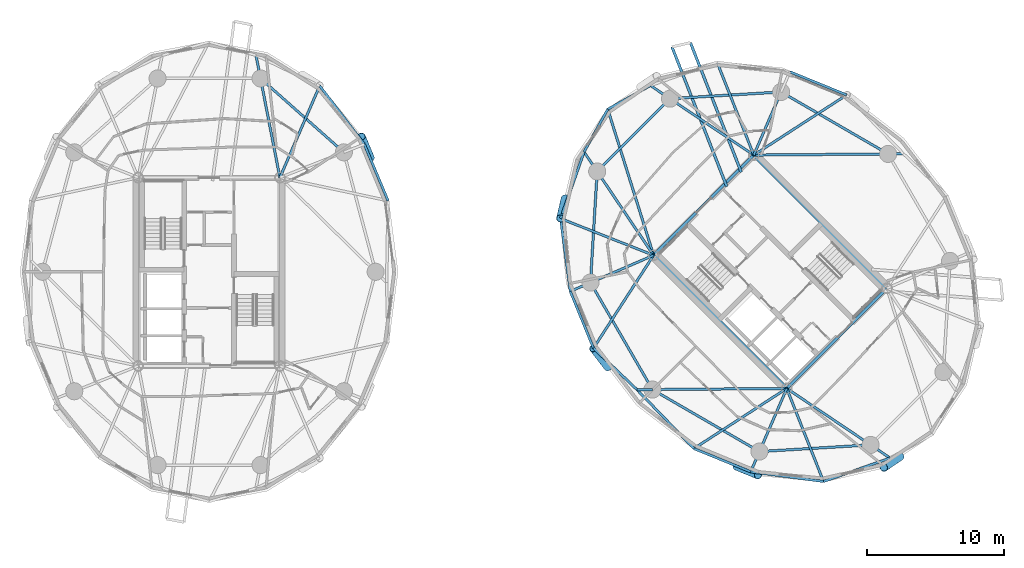
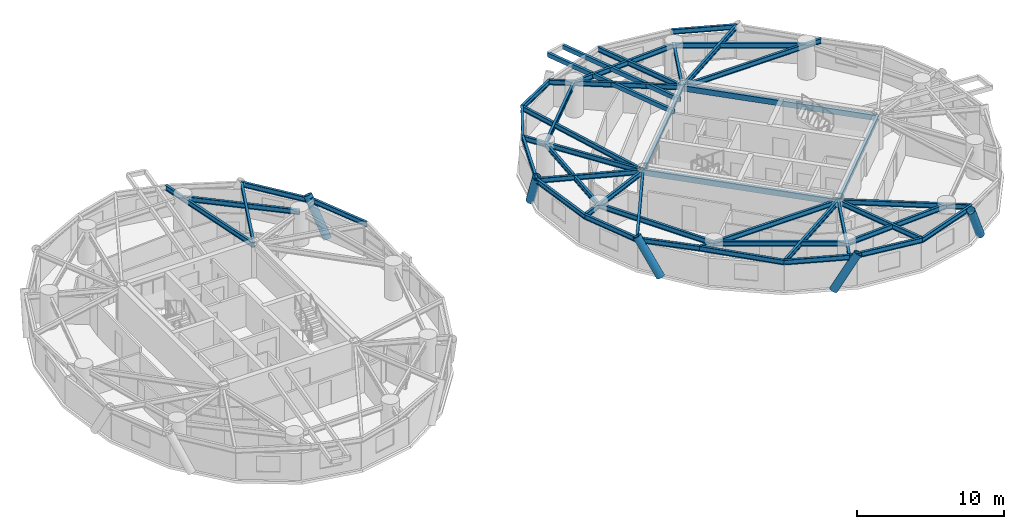
# One storey, part 4 of 17: 45 beams, 5 members.
"""IFC4 building model written with IfcOpenShell, lengths in metres."""

from ifc_helpers import new_model, si_unit, direction, frame, origin, origin_2d, place, context, subcontext, project, spatial, hollow_rectangle, hollow_circle, i_section, extrude, material, material_profile, profile_set, type_object, element, save


model = new_model("IFC4")

# Units and contexts
model_context = context("Model", 3, precision=1e-05, world=origin(), true_north=direction((0.0, 1.0)))
body_context = subcontext(model_context, "Body", "Model", "MODEL_VIEW")
ifc_project = project(units=[si_unit("LENGTHUNIT", "METRE"), si_unit("AREAUNIT", "SQUARE_METRE"), si_unit("VOLUMEUNIT", "CUBIC_METRE"), si_unit("PLANEANGLEUNIT", "RADIAN"), si_unit("MASSUNIT", "GRAM", prefix="KILO")], contexts=[model_context])

# Site, building, storey
site_placement = place(None, origin())
site = spatial("IfcSite", under=ifc_project, at=site_placement, CompositionType="ELEMENT")
building_placement = place(site_placement, origin())
building = spatial("IfcBuilding", under=site, at=building_placement, Name="Cununo Teusaquillo Station Towers", CompositionType="ELEMENT")
storey_placement = place(building_placement, frame((0.0, 0.0, 174.8798828125)))
storey = spatial("IfcBuildingStorey", under=building, at=storey_placement, Name="L55", CompositionType="ELEMENT", Elevation=174.8798828125)

# Beams
ifc_material_1 = material(Name="Steel EN 10025-2 S355J2", Category="steel")
ifc_material_profile_1 = material_profile(ifc_material_1, hollow_rectangle(XDim=0.199951171875, YDim=0.35009765625, WallThickness=0.013916015625, at=origin_2d()), Name="RHS 350x200x14")
ifc_profile_set_1 = profile_set([ifc_material_profile_1], Name="Steel EN 10025-2 S355J2")
beam_type_1 = type_object("IfcBeamType", Name="BM-BAL-CANT", PredefinedType="BEAM", material=ifc_profile_set_1)
beam_1_placement = place(storey_placement, frame((55.377685546875, 31.781982421875, 2.51513671875), z_axis=(-0.365281448211, 0.930897128362, 0.0), x_axis=(-0.930897128362, -0.365281448211, 0.0)))
element("IfcBeam", 1, at=beam_1_placement, inside=storey, type_object=beam_type_1, Name="L55 Tower B Balcony Cantilever Bracket 1A", PredefinedType="BEAM", context=body_context, shape_type="SweptSolid", body=[
    extrude(hollow_rectangle(XDim=0.199951171875, YDim=0.35009765625, WallThickness=0.013916015625, at=origin_2d()), origin(), (0.0, 0.0, 1.0), 10.162353515625),
])
beam_2_placement = place(storey_placement, frame((54.32177734375, 30.726318359375, 2.51513671875), z_axis=(-0.36528703962, 0.93089493429, 0.0), x_axis=(-0.93089493429, -0.36528703962, 0.0)))
element("IfcBeam", 2, at=beam_2_placement, inside=storey, type_object=beam_type_1, Name="L55 Tower B Balcony Cantilever Bracket 1B", PredefinedType="BEAM", context=body_context, shape_type="SweptSolid", body=[
    extrude(hollow_rectangle(XDim=0.199951171875, YDim=0.35009765625, WallThickness=0.013916015625, at=origin_2d()), origin(), (0.0, 0.0, 1.0), 10.958984375),
])
ifc_material_2 = material(Name="Steel EN 10025-2 S355J2", Category="steel")
ifc_material_profile_2 = material_profile(ifc_material_2, hollow_rectangle(XDim=0.25, YDim=0.449951171875, WallThickness=0.01611328125, at=origin_2d()), Name="RHS 450x250x16")
ifc_profile_set_2 = profile_set([ifc_material_profile_2], Name="Steel EN 10025-2 S355J2")
beam_type_2 = type_object("IfcBeamType", Name="BM-COUP-1", PredefinedType="USERDEFINED", material=ifc_profile_set_2)
for number, where, z_axis, x_axis, name in (
    (3, (58.70556640625, 15.975830078125, 2.465087890625), (-0.707106781187, 0.707106781187, 0.0), (-0.707106781187, -0.707106781187, 0.0), "L55 Tower B Core Beam 1"),
    (4, (66.024169921875, 23.29443359375, 2.465087890625), (-0.707106781187, 0.707106781187, 0.0), (-0.707106781187, -0.707106781187, 0.0), "L55 Tower B Core Beam 2"),
):
    element("IfcBeam", number, at=place(storey_placement, frame(where, z_axis=z_axis, x_axis=x_axis)), inside=storey, type_object=beam_type_2, Name=name, ObjectType="COUPLING BEAM", PredefinedType="USERDEFINED", context=body_context, shape_type="SweptSolid", body=[
        extrude(hollow_rectangle(XDim=0.25, YDim=0.449951171875, WallThickness=0.01611328125, at=origin_2d()), origin(), (0.0, 0.0, 1.0), 13.760009765625),
    ])
ifc_material_3 = material(Name="Steel ASTM A572 Grade 50", Category="steel")
ifc_material_profile_3 = material_profile(ifc_material_3, i_section(OverallWidth=0.180908203125, OverallDepth=0.4169921875, WebThickness=0.010986328125, FlangeThickness=0.018310546875, FilletRadius=0.012939453125, at=origin_2d()), Name="W16X57")
ifc_profile_set_3 = profile_set([ifc_material_profile_3], Name="Steel ASTM A572 Grade 50")
beam_type_3 = type_object("IfcBeamType", Name="BM-JOIST-1", PredefinedType="JOIST", material=ifc_profile_set_3)
beam_3_placement = place(storey_placement, frame((21.675048828125, 31.3798828125, 2.481689453125), z_axis=(0.397903718051, 0.917427180304, 0.0), x_axis=(-0.917427180304, 0.397903718051, 0.0)))
element("IfcBeam", 5, at=beam_3_placement, inside=storey, type_object=beam_type_3, Name="L55 Tower A Radial Spandrel Joist V03", PredefinedType="JOIST", context=body_context, shape_type="SweptSolid", body=[
    extrude(i_section(OverallWidth=0.180908203125, OverallDepth=0.4169921875, WebThickness=0.010986328125, FlangeThickness=0.018310546875, FilletRadius=0.012939453125, at=origin_2d()), origin(), (0.0, 0.0, 1.0), 7.306884765625),
])
beam_4_placement = place(storey_placement, frame((56.29443359375, 33.024169921875, 2.481689453125), z_axis=(0.839447756954, 0.543440395394, 0.0), x_axis=(-0.543440395394, 0.839447756954, 0.0)))
element("IfcBeam", 6, at=beam_4_placement, inside=storey, type_object=beam_type_3, Name="L55 Tower B Radial Spandrel Joist V01", PredefinedType="JOIST", context=body_context, shape_type="SweptSolid", body=[
    extrude(i_section(OverallWidth=0.180908203125, OverallDepth=0.4169921875, WebThickness=0.010986328125, FlangeThickness=0.018310546875, FilletRadius=0.012939453125, at=origin_2d()), origin(), (0.0, 0.0, 1.0), 8.08203125),
])
beam_5_placement = place(storey_placement, frame((56.29443359375, 33.024169921875, 2.481689453125), z_axis=(-0.367331607091, 0.93009004426, 0.0), x_axis=(-0.93009004426, -0.367331607091, 0.0)))
element("IfcBeam", 7, at=beam_5_placement, inside=storey, type_object=beam_type_3, Name="L55 Tower B Radial Spandrel Joist V03", PredefinedType="JOIST", context=body_context, shape_type="SweptSolid", body=[
    extrude(i_section(OverallWidth=0.180908203125, OverallDepth=0.4169921875, WebThickness=0.010986328125, FlangeThickness=0.018310546875, FilletRadius=0.012939453125, at=origin_2d()), origin(), (0.0, 0.0, 1.0), 7.306884765625),
])
beam_6_placement = place(storey_placement, frame((48.975830078125, 25.70556640625, 2.481689453125), z_axis=(-0.29947962656, 0.954102695351, 0.0), x_axis=(-0.954102695351, -0.29947962656, 0.0)))
element("IfcBeam", 8, at=beam_6_placement, inside=storey, type_object=beam_type_3, Name="L55 Tower B Radial Spandrel Joist V05", PredefinedType="JOIST", context=body_context, shape_type="SweptSolid", body=[
    extrude(i_section(OverallWidth=0.180908203125, OverallDepth=0.4169921875, WebThickness=0.010986328125, FlangeThickness=0.018310546875, FilletRadius=0.012939453125, at=origin_2d()), origin(), (0.0, 0.0, 1.0), 11.179931640625),
])
beam_7_placement = place(storey_placement, frame((48.975830078125, 25.70556640625, 2.481689453125), z_axis=(-0.93009004426, 0.367331607091, 0.0), x_axis=(-0.367331607091, -0.93009004426, 0.0)))
element("IfcBeam", 9, at=beam_7_placement, inside=storey, type_object=beam_type_3, Name="L55 Tower B Radial Spandrel Joist V07", PredefinedType="JOIST", context=body_context, shape_type="SweptSolid", body=[
    extrude(i_section(OverallWidth=0.180908203125, OverallDepth=0.4169921875, WebThickness=0.010986328125, FlangeThickness=0.018310546875, FilletRadius=0.012939453125, at=origin_2d()), origin(), (0.0, 0.0, 1.0), 7.306884765625),
])
for number, where, z_axis, x_axis, name in (
    (10, (48.975830078125, 25.70556640625, 2.481689453125), (-0.543440395394, -0.839447756954, 0.0), (0.839447756954, -0.543440395394, 0.0), "L55 Tower B Radial Spandrel Joist V09"),
    (11, (58.70556640625, 15.975830078125, 2.481689453125), (-0.839447756954, -0.543440395394, 0.0), (0.543440395394, -0.839447756954, 0.0), "L55 Tower B Radial Spandrel Joist V11"),
):
    element("IfcBeam", number, at=place(storey_placement, frame(where, z_axis=z_axis, x_axis=x_axis)), inside=storey, type_object=beam_type_3, Name=name, PredefinedType="JOIST", context=body_context, shape_type="SweptSolid", body=[
        extrude(i_section(OverallWidth=0.180908203125, OverallDepth=0.4169921875, WebThickness=0.010986328125, FlangeThickness=0.018310546875, FilletRadius=0.012939453125, at=origin_2d()), origin(), (0.0, 0.0, 1.0), 8.08203125),
    ])
beam_8_placement = place(storey_placement, frame((58.70556640625, 15.975830078125, 2.481689453125), z_axis=(0.367331607091, -0.93009004426, 0.0), x_axis=(0.93009004426, 0.367331607091, 0.0)))
element("IfcBeam", 12, at=beam_8_placement, inside=storey, type_object=beam_type_3, Name="L55 Tower B Radial Spandrel Joist V13", PredefinedType="JOIST", context=body_context, shape_type="SweptSolid", body=[
    extrude(i_section(OverallWidth=0.180908203125, OverallDepth=0.4169921875, WebThickness=0.010986328125, FlangeThickness=0.018310546875, FilletRadius=0.012939453125, at=origin_2d()), origin(), (0.0, 0.0, 1.0), 7.306884765625),
])
ifc_material_4 = material(Name="Steel ASTM A572 Grade 50", Category="steel")
ifc_material_profile_4 = material_profile(ifc_material_4, i_section(OverallWidth=0.2041015625, OverallDepth=0.35009765625, WebThickness=0.008544921875, FlangeThickness=0.01513671875, FilletRadius=0.011962890625, at=origin_2d()), Name="W14X48")
ifc_profile_set_4 = profile_set([ifc_material_profile_4], Name="Steel ASTM A572 Grade 50")
beam_type_4 = type_object("IfcBeamType", Name="BM-LINTEL-1", PredefinedType="LINTEL", material=ifc_profile_set_4)
for number, where, z_axis, x_axis, name in (
    (13, (58.70556640625, 15.975830078125, 2.51513671875), (0.707106781187, 0.707106781187, 0.0), (-0.707106781187, 0.707106781187, 0.0), "L55 Tower B Core Beam 3"),
    (14, (48.975830078125, 25.70556640625, 2.51513671875), (0.707106781187, 0.707106781187, 0.0), (-0.707106781187, 0.707106781187, 0.0), "L55 Tower B Core Beam 4"),
):
    element("IfcBeam", number, at=place(storey_placement, frame(where, z_axis=z_axis, x_axis=x_axis)), inside=storey, type_object=beam_type_4, Name=name, PredefinedType="LINTEL", context=body_context, shape_type="SweptSolid", body=[
        extrude(i_section(OverallWidth=0.2041015625, OverallDepth=0.35009765625, WebThickness=0.008544921875, FlangeThickness=0.01513671875, FilletRadius=0.011962890625, at=origin_2d()), origin(), (0.0, 0.0, 1.0), 10.35009765625),
    ])
ifc_material_5 = material(Name="Steel ASTM A572 Grade 50", Category="steel")
ifc_material_profile_5 = material_profile(ifc_material_5, i_section(OverallWidth=0.180908203125, OverallDepth=0.4169921875, WebThickness=0.010986328125, FlangeThickness=0.018310546875, FilletRadius=0.012939453125, at=origin_2d()), Name="W16X57")
ifc_profile_set_5 = profile_set([ifc_material_profile_5], Name="Steel ASTM A572 Grade 50")
beam_type_5 = type_object("IfcBeamType", Name="BM-RAD-G2", PredefinedType="BEAM", material=ifc_profile_set_5)
beam_9_placement = place(storey_placement, frame((21.675048828125, 31.3798828125, 2.481689453125), z_axis=(-0.191557018874, 0.981481486591, 0.0), x_axis=(-0.981481486591, -0.191557018874, 0.0)))
element("IfcBeam", 15, at=beam_9_placement, inside=storey, type_object=beam_type_5, Name="L55 Tower A Continuous Overhanging Radial Girder 03", PredefinedType="BEAM", context=body_context, shape_type="SweptSolid", body=[
    extrude(i_section(OverallWidth=0.180908203125, OverallDepth=0.4169921875, WebThickness=0.010986328125, FlangeThickness=0.018310546875, FilletRadius=0.012939453125, at=origin_2d()), origin(), (0.0, 0.0, 1.0), 9.097412109375),
])
beam_10_placement = place(storey_placement, frame((56.29443359375, 33.024169921875, 2.481689453125), z_axis=(0.999964410964, 0.008436634764, 0.0), x_axis=(-0.008436634764, 0.999964410964, 0.0)))
element("IfcBeam", 16, at=beam_10_placement, inside=storey, type_object=beam_type_5, Name="L55 Tower B Continuous Overhanging Radial Girder 01", PredefinedType="BEAM", context=body_context, shape_type="SweptSolid", body=[
    extrude(i_section(OverallWidth=0.180908203125, OverallDepth=0.4169921875, WebThickness=0.010986328125, FlangeThickness=0.018310546875, FilletRadius=0.012939453125, at=origin_2d()), origin(), (0.0, 0.0, 1.0), 10.938720703125),
])
beam_11_placement = place(storey_placement, frame((56.29443359375, 33.024169921875, 2.481689453125), z_axis=(0.397346986387, 0.917668443616, 0.0), x_axis=(-0.917668443616, 0.397346986387, 0.0)))
element("IfcBeam", 17, at=beam_11_placement, inside=storey, type_object=beam_type_5, Name="L55 Tower B Radial Girder 02A", PredefinedType="BEAM", context=body_context, shape_type="SweptSolid", body=[
    extrude(i_section(OverallWidth=0.180908203125, OverallDepth=0.4169921875, WebThickness=0.010986328125, FlangeThickness=0.018310546875, FilletRadius=0.012939453125, at=origin_2d()), origin(), (0.0, 0.0, 1.0), 5.02490234375),
])
for number, where, z_axis, x_axis, name in (
    (18, (56.29443359375, 33.024169921875, 2.481689453125), (-0.829456719326, 0.558570989907, 0.0), (-0.558570989907, -0.829456719326, 0.0), "L55 Tower B Continuous Overhanging Radial Girder 03"),
    (19, (48.975830078125, 25.70556640625, 2.481689453125), (-0.558570989907, 0.829456719326, 0.0), (-0.829456719326, -0.558570989907, 0.0), "L55 Tower B Continuous Overhanging Radial Girder 04"),
):
    element("IfcBeam", number, at=place(storey_placement, frame(where, z_axis=z_axis, x_axis=x_axis)), inside=storey, type_object=beam_type_5, Name=name, PredefinedType="BEAM", context=body_context, shape_type="SweptSolid", body=[
        extrude(i_section(OverallWidth=0.180908203125, OverallDepth=0.4169921875, WebThickness=0.010986328125, FlangeThickness=0.018310546875, FilletRadius=0.012939453125, at=origin_2d()), origin(), (0.0, 0.0, 1.0), 9.097412109375),
    ])
beam_12_placement = place(storey_placement, frame((48.975830078125, 25.70556640625, 2.481689453125), z_axis=(-0.917664823247, -0.397355347486, 0.0), x_axis=(0.397355347486, -0.917664823247, 0.0)))
element("IfcBeam", 20, at=beam_12_placement, inside=storey, type_object=beam_type_5, Name="L55 Tower B Continuous Overhanging Radial Girder 05", PredefinedType="BEAM", context=body_context, shape_type="SweptSolid", body=[
    extrude(i_section(OverallWidth=0.180908203125, OverallDepth=0.4169921875, WebThickness=0.010986328125, FlangeThickness=0.018310546875, FilletRadius=0.012939453125, at=origin_2d()), origin(), (0.0, 0.0, 1.0), 6.632080078125),
])
beam_13_placement = place(storey_placement, frame((58.70556640625, 15.975830078125, 2.481689453125), z_axis=(-0.999964431382, -0.008434214327, 0.0), x_axis=(0.008434214327, -0.999964431382, 0.0)))
element("IfcBeam", 21, at=beam_13_placement, inside=storey, type_object=beam_type_5, Name="L55 Tower B Radial Girder 06A", PredefinedType="BEAM", context=body_context, shape_type="SweptSolid", body=[
    extrude(i_section(OverallWidth=0.180908203125, OverallDepth=0.4169921875, WebThickness=0.010986328125, FlangeThickness=0.018310546875, FilletRadius=0.012939453125, at=origin_2d()), origin(), (0.0, 0.0, 1.0), 9.812744140625),
])
beam_14_placement = place(storey_placement, frame((48.89306640625, 15.89306640625, 2.481689453125), z_axis=(-0.99996423274, -0.008457732613, 0.0), x_axis=(0.008457732613, -0.99996423274, 0.0)))
element("IfcBeam", 22, at=beam_14_placement, inside=storey, type_object=beam_type_5, Name="L55 Tower B Perimeter Overhang Girder 06B", PredefinedType="BEAM", context=body_context, shape_type="SweptSolid", body=[
    extrude(i_section(OverallWidth=0.180908203125, OverallDepth=0.4169921875, WebThickness=0.010986328125, FlangeThickness=0.018310546875, FilletRadius=0.012939453125, at=origin_2d()), origin(), (0.0, 0.0, 1.0), 1.125732421875),
])
beam_15_placement = place(storey_placement, frame((58.70556640625, 15.975830078125, 2.481689453125), z_axis=(-0.397355347486, -0.917664823247, 0.0), x_axis=(0.917664823247, -0.397355347486, 0.0)))
element("IfcBeam", 23, at=beam_15_placement, inside=storey, type_object=beam_type_5, Name="L55 Tower B Continuous Overhanging Radial Girder 07", PredefinedType="BEAM", context=body_context, shape_type="SweptSolid", body=[
    extrude(i_section(OverallWidth=0.180908203125, OverallDepth=0.4169921875, WebThickness=0.010986328125, FlangeThickness=0.018310546875, FilletRadius=0.012939453125, at=origin_2d()), origin(), (0.0, 0.0, 1.0), 6.632080078125),
])
beam_16_placement = place(storey_placement, frame((58.70556640625, 15.975830078125, 2.481689453125), z_axis=(0.829456719326, -0.558570989907, 0.0), x_axis=(0.558570989907, 0.829456719326, 0.0)))
element("IfcBeam", 24, at=beam_16_placement, inside=storey, type_object=beam_type_5, Name="L55 Tower B Continuous Overhanging Radial Girder 08", PredefinedType="BEAM", context=body_context, shape_type="SweptSolid", body=[
    extrude(i_section(OverallWidth=0.180908203125, OverallDepth=0.4169921875, WebThickness=0.010986328125, FlangeThickness=0.018310546875, FilletRadius=0.012939453125, at=origin_2d()), origin(), (0.0, 0.0, 1.0), 9.097412109375),
])
ifc_material_6 = material(Name="Steel ASTM A572 Grade 50", Category="steel")
ifc_material_profile_6 = material_profile(ifc_material_6, i_section(OverallWidth=0.180908203125, OverallDepth=0.4169921875, WebThickness=0.010986328125, FlangeThickness=0.018310546875, FilletRadius=0.012939453125, at=origin_2d()), Name="W16X57")
ifc_profile_set_6 = profile_set([ifc_material_profile_6], Name="Steel ASTM A572 Grade 50")
beam_type_6 = type_object("IfcBeamType", Name="BM-RING-Z3", PredefinedType="SPANDREL", material=ifc_profile_set_6)
beam_17_placement = place(storey_placement, frame((26.347412109375, 33.228515625, 2.481689453125), z_axis=(-0.74832120039, 0.66333655187, 0.0), x_axis=(-0.66333655187, -0.74832120039, 0.0)))
element("IfcBeam", 25, at=beam_17_placement, inside=storey, type_object=beam_type_6, Name="L55 Tower A Structural Column Ring Girder 02", PredefinedType="SPANDREL", context=body_context, shape_type="SweptSolid", body=[
    extrude(i_section(OverallWidth=0.180908203125, OverallDepth=0.4169921875, WebThickness=0.010986328125, FlangeThickness=0.018310546875, FilletRadius=0.012939453125, at=origin_2d()), origin(), (0.0, 0.0, 1.0), 8.1328125),
])
beam_18_placement = place(storey_placement, frame((29.577880859375, 29.6884765625, 2.481689453125), z_axis=(-0.387360300858, 0.921928412253, 0.0), x_axis=(-0.921928412253, -0.387360300858, 0.0)))
element("IfcBeam", 26, at=beam_18_placement, inside=storey, type_object=beam_type_6, Name="L55 Tower A Spandrel Ring Beam 02", PredefinedType="SPANDREL", context=body_context, shape_type="SweptSolid", body=[
    extrude(i_section(OverallWidth=0.180908203125, OverallDepth=0.4169921875, WebThickness=0.010986328125, FlangeThickness=0.018310546875, FilletRadius=0.012939453125, at=origin_2d()), origin(), (0.0, 0.0, 1.0), 4.481201171875),
])
beam_19_placement = place(storey_placement, frame((27.842041015625, 33.81982421875, 2.481689453125), z_axis=(-0.607340349092, 0.794441753916, 0.0), x_axis=(-0.794441753916, -0.607340349092, 0.0)))
element("IfcBeam", 27, at=beam_19_placement, inside=storey, type_object=beam_type_6, Name="L55 Tower A Spandrel Ring Beam 03", PredefinedType="SPANDREL", context=body_context, shape_type="SweptSolid", body=[
    extrude(i_section(OverallWidth=0.180908203125, OverallDepth=0.4169921875, WebThickness=0.010986328125, FlangeThickness=0.018310546875, FilletRadius=0.012939453125, at=origin_2d()), origin(), (0.0, 0.0, 1.0), 5.366943359375),
])
beam_20_placement = place(storey_placement, frame((66.10693359375, 33.10693359375, 2.481689453125), z_axis=(-0.865267103202, 0.501311121078, 0.0), x_axis=(-0.501311121078, -0.865267103202, 0.0)))
element("IfcBeam", 28, at=beam_20_placement, inside=storey, type_object=beam_type_6, Name="L55 Tower B Structural Column Ring Girder 01", PredefinedType="SPANDREL", context=body_context, shape_type="SweptSolid", body=[
    extrude(i_section(OverallWidth=0.180908203125, OverallDepth=0.4169921875, WebThickness=0.010986328125, FlangeThickness=0.018310546875, FilletRadius=0.012939453125, at=origin_2d()), origin(), (0.0, 0.0, 1.0), 9.032958984375),
])
beam_21_placement = place(storey_placement, frame((58.291015625, 37.63525390625, 2.481689453125), z_axis=(-0.998190567048, -0.06012979176, 0.0), x_axis=(0.06012979176, -0.998190567048, 0.0)))
element("IfcBeam", 29, at=beam_21_placement, inside=storey, type_object=beam_type_6, Name="L55 Tower B Structural Column Ring Girder 02", PredefinedType="SPANDREL", context=body_context, shape_type="SweptSolid", body=[
    extrude(i_section(OverallWidth=0.180908203125, OverallDepth=0.4169921875, WebThickness=0.010986328125, FlangeThickness=0.018310546875, FilletRadius=0.012939453125, at=origin_2d()), origin(), (0.0, 0.0, 1.0), 8.132568359375),
])
beam_22_placement = place(storey_placement, frame((50.173095703125, 37.146240234375, 2.481689453125), z_axis=(-0.707106781187, -0.707106781187, 0.0), x_axis=(0.707106781187, -0.707106781187, 0.0)))
element("IfcBeam", 30, at=beam_22_placement, inside=storey, type_object=beam_type_6, Name="L55 Tower B Structural Column Ring Girder 03", PredefinedType="SPANDREL", context=body_context, shape_type="SweptSolid", body=[
    extrude(i_section(OverallWidth=0.180908203125, OverallDepth=0.4169921875, WebThickness=0.010986328125, FlangeThickness=0.018310546875, FilletRadius=0.012939453125, at=origin_2d()), origin(), (0.0, 0.0, 1.0), 7.522705078125),
])
beam_23_placement = place(storey_placement, frame((44.853759765625, 31.826904296875, 2.481689453125), z_axis=(-0.06012979176, -0.998190567048, 0.0), x_axis=(0.998190567048, -0.06012979176, 0.0)))
element("IfcBeam", 31, at=beam_23_placement, inside=storey, type_object=beam_type_6, Name="L55 Tower B Structural Column Ring Girder 04", PredefinedType="SPANDREL", context=body_context, shape_type="SweptSolid", body=[
    extrude(i_section(OverallWidth=0.180908203125, OverallDepth=0.4169921875, WebThickness=0.010986328125, FlangeThickness=0.018310546875, FilletRadius=0.012939453125, at=origin_2d()), origin(), (0.0, 0.0, 1.0), 8.132568359375),
])
for number, where, z_axis, x_axis, name in (
    (32, (44.36474609375, 23.708984375, 2.481689453125), (0.501311121078, -0.865267103202, 0.0), (0.865267103202, 0.501311121078, 0.0), "L55 Tower B Structural Column Ring Girder 05"),
    (33, (48.89306640625, 15.89306640625, 2.481689453125), (0.865267103202, -0.501311121078, 0.0), (0.501311121078, 0.865267103202, 0.0), "L55 Tower B Structural Column Ring Girder 06"),
):
    element("IfcBeam", number, at=place(storey_placement, frame(where, z_axis=z_axis, x_axis=x_axis)), inside=storey, type_object=beam_type_6, Name=name, PredefinedType="SPANDREL", context=body_context, shape_type="SweptSolid", body=[
        extrude(i_section(OverallWidth=0.180908203125, OverallDepth=0.4169921875, WebThickness=0.010986328125, FlangeThickness=0.018310546875, FilletRadius=0.012939453125, at=origin_2d()), origin(), (0.0, 0.0, 1.0), 9.032958984375),
    ])
beam_24_placement = place(storey_placement, frame((56.708984375, 11.36474609375, 2.481689453125), z_axis=(0.998190567048, 0.06012979176, 0.0), x_axis=(-0.06012979176, 0.998190567048, 0.0)))
element("IfcBeam", 34, at=beam_24_placement, inside=storey, type_object=beam_type_6, Name="L55 Tower B Structural Column Ring Girder 07", PredefinedType="SPANDREL", context=body_context, shape_type="SweptSolid", body=[
    extrude(i_section(OverallWidth=0.180908203125, OverallDepth=0.4169921875, WebThickness=0.010986328125, FlangeThickness=0.018310546875, FilletRadius=0.012939453125, at=origin_2d()), origin(), (0.0, 0.0, 1.0), 8.132568359375),
])
beam_25_placement = place(storey_placement, frame((63.078857421875, 37.416259765625, 2.481689453125), z_axis=(-0.925823525235, 0.377956082264, 0.0), x_axis=(-0.377956082264, -0.925823525235, 0.0)))
element("IfcBeam", 35, at=beam_25_placement, inside=storey, type_object=beam_type_6, Name="L55 Tower B Spandrel Ring Beam 02", PredefinedType="SPANDREL", context=body_context, shape_type="SweptSolid", body=[
    extrude(i_section(OverallWidth=0.180908203125, OverallDepth=0.4169921875, WebThickness=0.010986328125, FlangeThickness=0.018310546875, FilletRadius=0.012939453125, at=origin_2d()), origin(), (0.0, 0.0, 1.0), 4.481689453125),
])
for number, where, z_axis, x_axis, name in (
    (36, (48.74853515625, 38.105712890625, 2.481689453125), (-0.874205659621, -0.485555830659, 0.0), (0.485555830659, -0.874205659621, 0.0), "L55 Tower B Spandrel Ring Beam 05"),
    (37, (45.627685546875, 36.372314453125, 2.481689453125), (-0.485555830659, -0.874205659621, 0.0), (0.874205659621, -0.485555830659, 0.0), "L55 Tower B Spandrel Ring Beam 06"),
):
    element("IfcBeam", number, at=place(storey_placement, frame(where, z_axis=z_axis, x_axis=x_axis)), inside=storey, type_object=beam_type_6, Name=name, PredefinedType="SPANDREL", context=body_context, shape_type="SweptSolid", body=[
        extrude(i_section(OverallWidth=0.180908203125, OverallDepth=0.4169921875, WebThickness=0.010986328125, FlangeThickness=0.018310546875, FilletRadius=0.012939453125, at=origin_2d()), origin(), (0.0, 0.0, 1.0), 3.56982421875),
    ])
beam_26_placement = place(storey_placement, frame((43.894287109375, 33.25146484375, 2.481689453125), z_axis=(-0.332589733158, -0.943071614141, 0.0), x_axis=(0.943071614141, -0.332589733158, 0.0)))
element("IfcBeam", 38, at=beam_26_placement, inside=storey, type_object=beam_type_6, Name="L55 Tower B Spandrel Ring Beam 07", PredefinedType="SPANDREL", context=body_context, shape_type="SweptSolid", body=[
    extrude(i_section(OverallWidth=0.180908203125, OverallDepth=0.4169921875, WebThickness=0.010986328125, FlangeThickness=0.018310546875, FilletRadius=0.012939453125, at=origin_2d()), origin(), (0.0, 0.0, 1.0), 5.1552734375),
])
beam_27_placement = place(storey_placement, frame((42.1796875, 28.3896484375, 2.481689453125), z_axis=(0.132339532096, -0.991204443213, 0.0), x_axis=(0.991204443213, 0.132339532096, 0.0)))
element("IfcBeam", 39, at=beam_27_placement, inside=storey, type_object=beam_type_6, Name="L55 Tower B Spandrel Ring Beam 08", PredefinedType="SPANDREL", context=body_context, shape_type="SweptSolid", body=[
    extrude(i_section(OverallWidth=0.180908203125, OverallDepth=0.4169921875, WebThickness=0.010986328125, FlangeThickness=0.018310546875, FilletRadius=0.012939453125, at=origin_2d()), origin(), (0.0, 0.0, 1.0), 5.366455078125),
])
beam_28_placement = place(storey_placement, frame((42.889892578125, 23.0703125, 2.481689453125), z_axis=(0.377956082264, -0.925823525235, 0.0), x_axis=(0.925823525235, 0.377956082264, 0.0)))
element("IfcBeam", 40, at=beam_28_placement, inside=storey, type_object=beam_type_6, Name="L55 Tower B Spandrel Ring Beam 09", PredefinedType="SPANDREL", context=body_context, shape_type="SweptSolid", body=[
    extrude(i_section(OverallWidth=0.180908203125, OverallDepth=0.4169921875, WebThickness=0.010986328125, FlangeThickness=0.018310546875, FilletRadius=0.012939453125, at=origin_2d()), origin(), (0.0, 0.0, 1.0), 4.481689453125),
])
beam_29_placement = place(storey_placement, frame((44.583740234375, 18.921142578125, 2.481689453125), z_axis=(0.723501643849, -0.690322657421, 0.0), x_axis=(0.690322657421, 0.723501643849, 0.0)))
element("IfcBeam", 41, at=beam_29_placement, inside=storey, type_object=beam_type_6, Name="L55 Tower B Spandrel Ring Beam 10", PredefinedType="SPANDREL", context=body_context, shape_type="SweptSolid", body=[
    extrude(i_section(OverallWidth=0.180908203125, OverallDepth=0.4169921875, WebThickness=0.010986328125, FlangeThickness=0.018310546875, FilletRadius=0.012939453125, at=origin_2d()), origin(), (0.0, 0.0, 1.0), 4.400146484375),
])
beam_30_placement = place(storey_placement, frame((47.767333984375, 15.883544921875, 2.481689453125), z_axis=(0.694791256552, -0.719211450005, 0.0), x_axis=(0.719211450005, 0.694791256552, 0.0)))
element("IfcBeam", 42, at=beam_30_placement, inside=storey, type_object=beam_type_6, Name="L55 Tower B Spandrel Ring Beam 11", PredefinedType="SPANDREL", context=body_context, shape_type="SweptSolid", body=[
    extrude(i_section(OverallWidth=0.180908203125, OverallDepth=0.4169921875, WebThickness=0.010986328125, FlangeThickness=0.018310546875, FilletRadius=0.012939453125, at=origin_2d()), origin(), (0.0, 0.0, 1.0), 5.978515625),
])
beam_31_placement = place(storey_placement, frame((51.921142578125, 11.583740234375, 2.481689453125), z_axis=(0.925823525235, -0.377956082264, 0.0), x_axis=(0.377956082264, 0.925823525235, 0.0)))
element("IfcBeam", 43, at=beam_31_placement, inside=storey, type_object=beam_type_6, Name="L55 Tower B Spandrel Ring Beam 12", PredefinedType="SPANDREL", context=body_context, shape_type="SweptSolid", body=[
    extrude(i_section(OverallWidth=0.180908203125, OverallDepth=0.4169921875, WebThickness=0.010986328125, FlangeThickness=0.018310546875, FilletRadius=0.012939453125, at=origin_2d()), origin(), (0.0, 0.0, 1.0), 4.481689453125),
])
beam_32_placement = place(storey_placement, frame((56.0703125, 9.889892578125, 2.481689453125), z_axis=(0.991204443213, -0.132339532096, 0.0), x_axis=(0.132339532096, 0.991204443213, 0.0)))
element("IfcBeam", 44, at=beam_32_placement, inside=storey, type_object=beam_type_6, Name="L55 Tower B Spandrel Ring Beam 13", PredefinedType="SPANDREL", context=body_context, shape_type="SweptSolid", body=[
    extrude(i_section(OverallWidth=0.180908203125, OverallDepth=0.4169921875, WebThickness=0.010986328125, FlangeThickness=0.018310546875, FilletRadius=0.012939453125, at=origin_2d()), origin(), (0.0, 0.0, 1.0), 5.366455078125),
])
beam_33_placement = place(storey_placement, frame((61.3896484375, 9.1796875, 2.481689453125), z_axis=(0.943071614141, 0.332589733158, 0.0), x_axis=(-0.332589733158, 0.943071614141, 0.0)))
element("IfcBeam", 45, at=beam_33_placement, inside=storey, type_object=beam_type_6, Name="L55 Tower B Spandrel Ring Beam 14", PredefinedType="SPANDREL", context=body_context, shape_type="SweptSolid", body=[
    extrude(i_section(OverallWidth=0.180908203125, OverallDepth=0.4169921875, WebThickness=0.010986328125, FlangeThickness=0.018310546875, FilletRadius=0.012939453125, at=origin_2d()), origin(), (0.0, 0.0, 1.0), 5.1552734375),
])

# Members
ifc_material_7 = material(Name="Steel EN 10025-2 S355J2", Category="steel")
ifc_material_profile_7 = material_profile(ifc_material_7, hollow_circle(Radius=0.304931640625, WallThickness=0.02001953125, at=origin_2d()), Name="CHS 610x20")
ifc_profile_set_7 = profile_set([ifc_material_profile_7], Name="Steel EN 10025-2 S355J2")
member_type = type_object("IfcMemberType", Name="MBR-DIAG-Z3", PredefinedType="BRACE", material=ifc_profile_set_7)
member_1_placement = place(storey_placement, frame((28.27587890625, 32.80859375, -0.139892578125), z_axis=(-0.193474164804, 0.463627066841, 0.864648882753), x_axis=(-0.922867447473, -0.38511774095, 0.0)))
element("IfcMember", 46, at=member_1_placement, inside=storey, type_object=member_type, Name="L55 Tower A Folded-Zigzag Diagrid Tube C01", PredefinedType="BRACE", context=body_context, shape_type="SweptSolid", body=[
    extrude(hollow_circle(Radius=0.304931640625, WallThickness=0.02001953125, at=origin_2d()), origin(), (0.0, 0.0, 1.0), 3.365478515625),
])
member_2_placement = place(storey_placement, frame((42.521240234375, 29.855224609375, -0.139892578125), z_axis=(-0.104259152832, -0.447367901679, 0.888252210579), x_axis=(0.973902205409, -0.226968046871, 0.0)))
element("IfcMember", 47, at=member_2_placement, inside=storey, type_object=member_type, Name="L55 Tower B Folded-Zigzag Diagrid Tube C06", PredefinedType="BRACE", context=body_context, shape_type="SweptSolid", body=[
    extrude(hollow_circle(Radius=0.304931640625, WallThickness=0.02001953125, at=origin_2d()), origin(), (0.0, 0.0, 1.0), 3.27587890625),
])
member_3_placement = place(storey_placement, frame((45.64794921875, 17.539794921875, -0.139892578125), z_axis=(-0.313705596067, 0.407191159107, 0.857778618841), x_axis=(-0.792170953282, -0.6102992551, 0.0)))
element("IfcMember", 48, at=member_3_placement, inside=storey, type_object=member_type, Name="L55 Tower B Folded-Zigzag Diagrid Tube C09", PredefinedType="BRACE", context=body_context, shape_type="SweptSolid", body=[
    extrude(hollow_circle(Radius=0.304931640625, WallThickness=0.02001953125, at=origin_2d()), origin(), (0.0, 0.0, 1.0), 3.392333984375),
])
member_4_placement = place(storey_placement, frame((55.04833984375, 10.298095703125, -0.139892578125), z_axis=(0.464587085322, -0.191014646417, 0.864680429411), x_axis=(0.380263076079, 0.924878366582, 0.0)))
element("IfcMember", 49, at=member_4_placement, inside=storey, type_object=member_type, Name="L55 Tower B Folded-Zigzag Diagrid Tube C11", PredefinedType="BRACE", context=body_context, shape_type="SweptSolid", body=[
    extrude(hollow_circle(Radius=0.304931640625, WallThickness=0.02001953125, at=origin_2d()), origin(), (0.0, 0.0, 1.0), 3.365234375),
])
member_5_placement = place(storey_placement, frame((66.981689453125, 11.011962890625, -0.139892578125), z_axis=(-0.367958726779, -0.248738595896, 0.895955069353), x_axis=(0.560039546625, -0.828465875107, 0.0)))
element("IfcMember", 50, at=member_5_placement, inside=storey, type_object=member_type, Name="L55 Tower B Folded-Zigzag Diagrid Tube C14", PredefinedType="BRACE", context=body_context, shape_type="SweptSolid", body=[
    extrude(hollow_circle(Radius=0.304931640625, WallThickness=0.02001953125, at=origin_2d()), origin(), (0.0, 0.0, 1.0), 3.247802734375),
])

save(model, "model.ifc")
